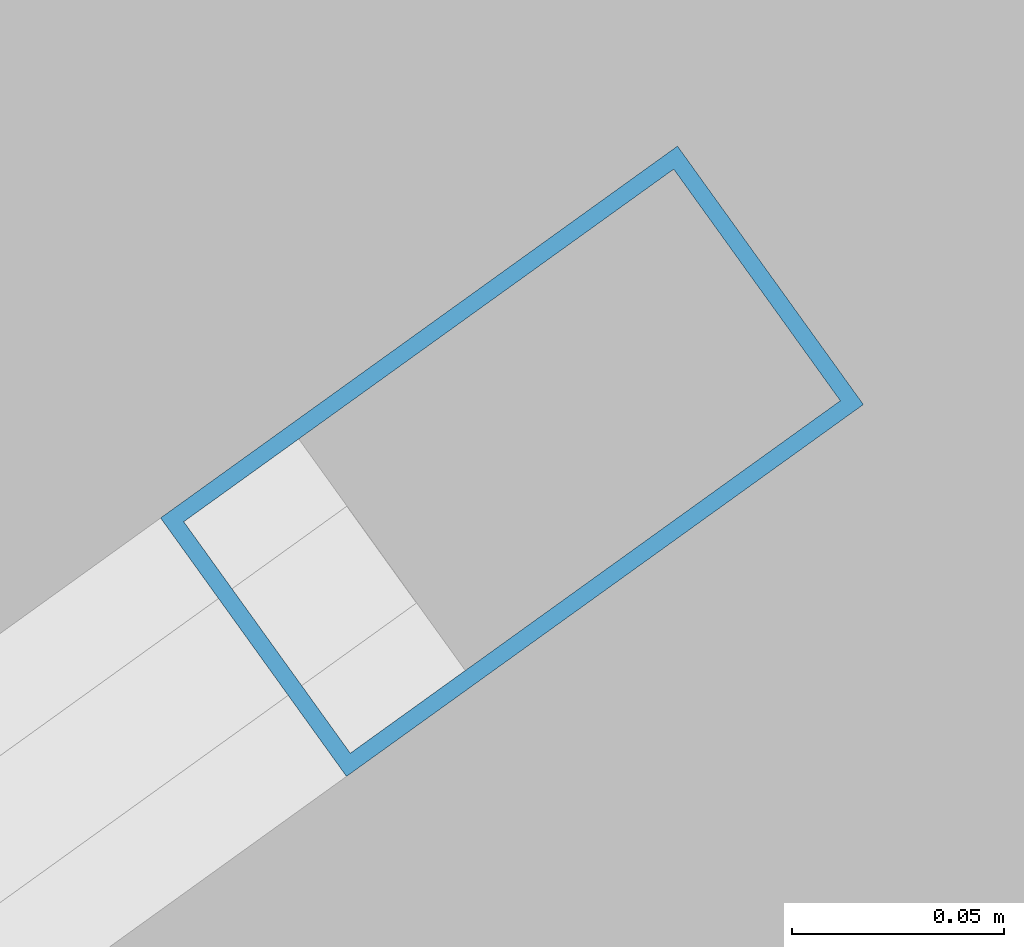
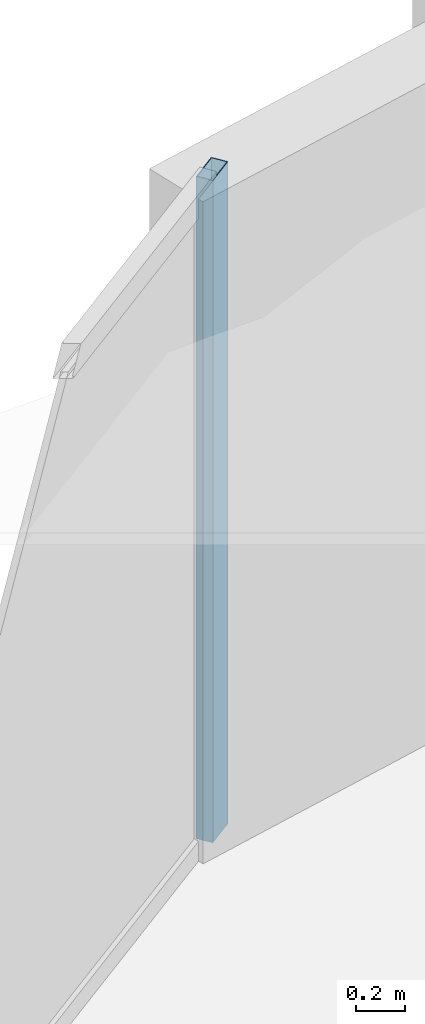
# One storey, part 19 of 30: 1 member, 1 element without a shape of its own.
"""IFC4 building model written with IfcOpenShell, lengths in metres."""

from ifc_helpers import new_model, si_unit, direction, frame, origin, origin_2d, place, context, subcontext, project, spatial, hollow_rectangle, extrude, material, layer, layer_set, material_profile, profile_set, type_object, element, aggregate, save


model = new_model("IFC4")

# Units and contexts
model_context = context("Model", 3, precision=1e-05, world=origin(), true_north=direction((0.0, 1.0)))
body_context = subcontext(model_context, "Body", "Model", "MODEL_VIEW")
ifc_project = project(units=[si_unit("LENGTHUNIT", "METRE"), si_unit("AREAUNIT", "SQUARE_METRE"), si_unit("VOLUMEUNIT", "CUBIC_METRE"), si_unit("PLANEANGLEUNIT", "RADIAN"), si_unit("MASSUNIT", "GRAM", prefix="KILO")], contexts=[model_context])

# Site, building, storey
site_placement = place(None, origin())
site = spatial("IfcSite", under=ifc_project, at=site_placement, CompositionType="ELEMENT")
building_placement = place(site_placement, origin())
building = spatial("IfcBuilding", under=site, at=building_placement, Name="Kazevale Care Tower and Concert Hall", CompositionType="ELEMENT")
storey_placement = place(building_placement, frame((0.0, 0.0, 88.800048828125)))
storey = spatial("IfcBuildingStorey", under=building, at=storey_placement, Name="L23", CompositionType="ELEMENT", Elevation=88.800048828125)

# Curtain wall, member
ifc_material_1 = material(Name="Aluminium 6063-T6 and Low-E Glass", Category="aluminium")
ifc_layer = layer(ifc_material_1, 0.179931640625)
ifc_layer_set = layer_set([ifc_layer], Name="Aluminium 6063-T6 and Low-E Glass")
curtain_wall_type = type_object("IfcCurtainWallType", Name="Convex Recessed Sunroom Curtain Wall CW-3", PredefinedType="NOTDEFINED", material=ifc_layer_set)
curtain_wall_placement = place(storey_placement, origin())
curtain_wall = element("IfcCurtainWall", 1, at=curtain_wall_placement, inside=storey, type_object=curtain_wall_type, Name="cw:L23:f14", PredefinedType="NOTDEFINED")
ifc_material_2 = material(Name="Aluminium 6063-T6", Category="aluminium")
ifc_material_profile = material_profile(ifc_material_2, hollow_rectangle(XDim=0.074951171875, YDim=0.14990234375, WallThickness=0.00390625, at=origin_2d()), Name="ALU75x150x4")
ifc_profile_set = profile_set([ifc_material_profile], Name="Aluminium 6063-T6")
member_type = type_object("IfcMemberType", Name="CW-3 Mullion ALU75x150x4", PredefinedType="MULLION", material=ifc_profile_set)
member_placement = place(storey_placement, frame((27.34765625, 60.153076171875, 0.0), z_axis=(0.0, 0.0, 1.0), x_axis=(-0.583994227391, 0.811757810171, 0.0)))
member = element("IfcMember", 2, at=member_placement, type_object=member_type, Name="CW-3 mullion 2", PredefinedType="MULLION", context=body_context, shape_type="SweptSolid", body=[
    extrude(hollow_rectangle(XDim=0.074951171875, YDim=0.14990234375, WallThickness=0.00390625, at=origin_2d()), origin(), (0.0, 0.0, 1.0), 3.280029296875),
])
aggregate(curtain_wall, [member])

save(model, "model.ifc")
